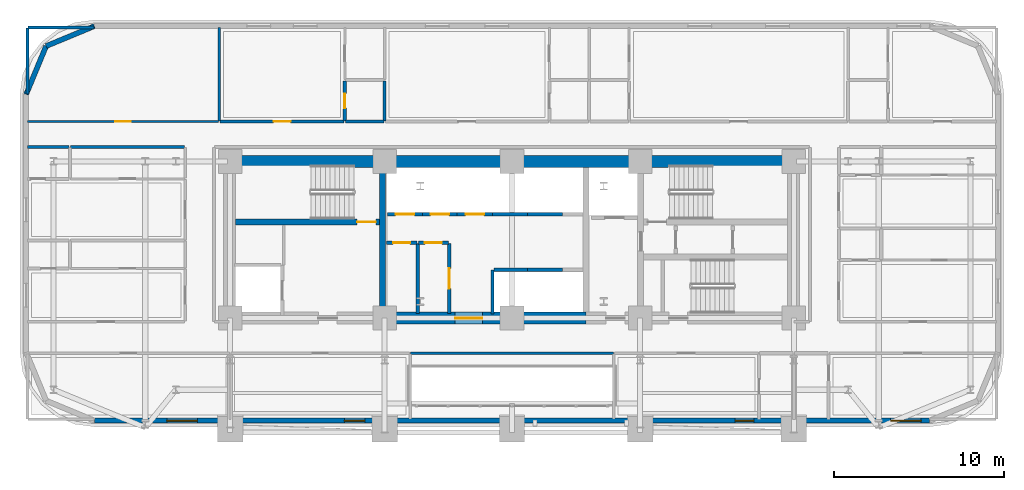
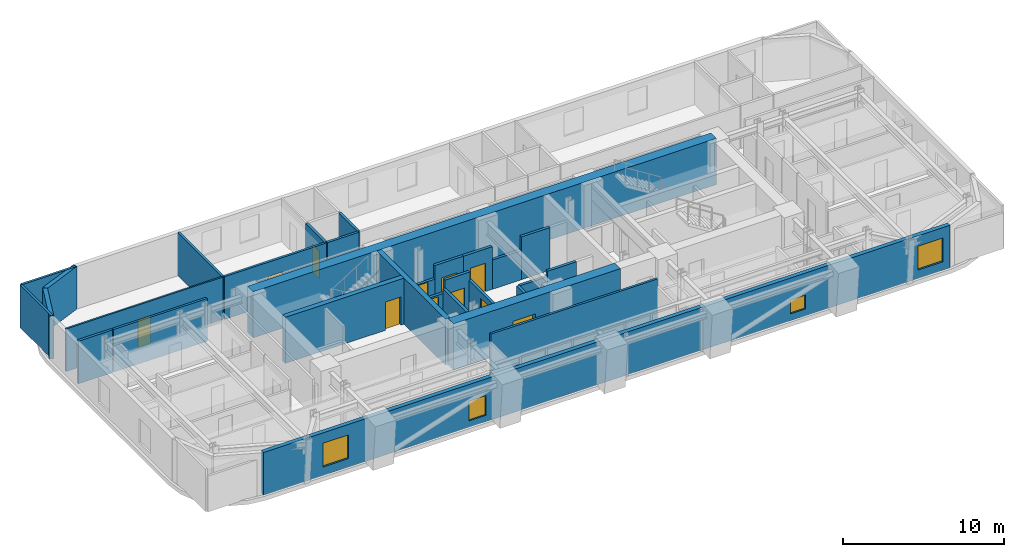
# One storey, part 9 of 16: 30 walls, 11 doors, 4 windows, 15 openings.
"""IFC4 building model written with IfcOpenShell, lengths in metres."""

from ifc_helpers import new_model, si_unit, direction, frame, frame_2d, origin, place, context, subcontext, project, spatial, rectangle, extrude, material, layer, layer_set, type_object, element, fill, save


model = new_model("IFC4")

# Units and contexts
model_context = context("Model", 3, precision=1e-05, world=origin(), true_north=direction((0.0, 1.0)))
body_context = subcontext(model_context, "Body", "Model", "MODEL_VIEW")
ifc_project = project(units=[si_unit("LENGTHUNIT", "METRE"), si_unit("AREAUNIT", "SQUARE_METRE"), si_unit("VOLUMEUNIT", "CUBIC_METRE"), si_unit("PLANEANGLEUNIT", "RADIAN"), si_unit("MASSUNIT", "GRAM", prefix="KILO")], contexts=[model_context])

# Site, building, storey
site_placement = place(None, origin())
site = spatial("IfcSite", under=ifc_project, at=site_placement, CompositionType="ELEMENT")
building_placement = place(site_placement, origin())
building = spatial("IfcBuilding", under=site, at=building_placement, Name="Zarnavel Station Tower", CompositionType="ELEMENT")
storey_placement = place(building_placement, frame((0.0, 0.0, 53.5)))
storey = spatial("IfcBuildingStorey", under=building, at=storey_placement, Name="L14", CompositionType="ELEMENT", Elevation=53.5)

# Wall
ifc_material_1 = material(Name="Concrete C50/60", Category="concrete")
ifc_layer_1 = layer(ifc_material_1, 0.35009765625)
ifc_layer_set_1 = layer_set([ifc_layer_1], Name="CW_350")
wall_type_1 = type_object("IfcWallType", Name="CW_350", PredefinedType="SHEAR", material=ifc_layer_set_1)
wall_1_placement = place(storey_placement, frame((21.179931640625, 28.169921875, 0.0), z_axis=(0.0, 0.0, 1.0), x_axis=(0.0, 1.0, 0.0)))
element("IfcWall", 1, at=wall_1_placement, inside=storey, type_object=wall_type_1, Name="L14 Rear Core Shear Wall DIV-W", PredefinedType="SHEAR", context=body_context, shape_type="SweptSolid", body=[
    extrude(rectangle(XDim=8.530029296875, YDim=0.35009765625, at=frame_2d((4.26513671875, 0.0))), origin(), (0.0, 0.0, 1.0), 3.5),
])

# Wall, opening, door
wall_2_placement = place(storey_placement, frame((21.0048828125, 33.47998046875, 0.0), z_axis=(0.0, 0.0, 1.0), x_axis=(-1.0, 0.0, 0.0)))
wall_2 = element("IfcWall", 2, at=wall_2_placement, inside=storey, type_object=wall_type_1, Name="L14 Rear Core Shear Wall DIV-H1", PredefinedType="SHEAR", context=body_context, shape_type="SweptSolid", body=[
    extrude(rectangle(XDim=8.5048828125, YDim=0.35009765625, at=frame_2d((4.25244140625, 0.0))), origin(), (0.0, 0.0, 1.0), 3.5),
])
opening_1_placement = place(wall_2_placement, frame((0.219970703125, 0.0, 0.0)))
opening_1 = element("IfcOpeningElement", 3, at=opening_1_placement, cuts=wall_2, Name="Opening FD01", PredefinedType="OPENING", context=body_context, shape_type="SweptSolid", body=[
    extrude(rectangle(XDim=1.10009765625, YDim=2.14990234375, at=frame_2d((0.550048828125, 1.074951171875))), frame((0.0, 0.18505859375, 0.0), z_axis=(0.0, -1.0, 0.0), x_axis=(1.0, 0.0, 0.0)), (0.0, 0.0, 1.0), 0.3701171875),
])
ifc_material_2 = material(Name="Painted Galvanised Steel and Hardwood Leaf", Category="steel")
door_type_1 = type_object("IfcDoorType", Name="ID_STAIR_1100", OperationType="NOTDEFINED", PredefinedType="DOOR", material=ifc_material_2)
door_1_placement = place(opening_1_placement, origin())
door_1 = element("IfcDoor", 4, at=door_1_placement, inside=storey, type_object=door_type_1, Name="L14 Stair ST1 Lobby Fire Door", OperationType="SINGLE_SWING_LEFT", OverallHeight=2.14990234375, OverallWidth=1.10009765625, PredefinedType="DOOR", context=body_context, shape_type="SweptSolid", body=[
    extrude(rectangle(XDim=1.10009765625, YDim=2.14990234375, at=frame_2d((0.550048828125, 1.074951171875))), frame((0.0, 0.02490234375, 0.0), z_axis=(0.0, -1.0, 0.0), x_axis=(1.0, 0.0, 0.0)), (0.0, 0.0, 1.0), 0.050048828125),
])
fill(opening_1, door_1)

# Wall
ifc_material_3 = material(Name="Concrete C60/75", Category="concrete")
ifc_layer_2 = layer(ifc_material_3, 0.699951171875)
ifc_layer_set_2 = layer_set([ifc_layer_2], Name="CW_700")
wall_type_2 = type_object("IfcWallType", Name="CW_700", PredefinedType="SHEAR", material=ifc_layer_set_2)
wall_3_placement = place(storey_placement, frame((12.14990234375, 37.050048828125, 0.0), z_axis=(0.0, 0.0, 1.0), x_axis=(1.0, 0.0, 0.0)))
element("IfcWall", 5, at=wall_3_placement, inside=storey, type_object=wall_type_2, Name="L14 Rear Core Shear Wall N", PredefinedType="SHEAR", context=body_context, shape_type="SweptSolid", body=[
    extrude(rectangle(XDim=33.22998046875, YDim=0.699951171875, at=frame_2d((16.614990234375, 0.0))), origin(), (0.0, 0.0, 1.0), 3.5),
])

# Wall, opening, door
wall_4_placement = place(storey_placement, frame((33.14990234375, 27.820068359375, 0.0), z_axis=(0.0, 0.0, 1.0), x_axis=(-1.0, 0.0, 0.0)))
wall_4 = element("IfcWall", 6, at=wall_4_placement, inside=storey, type_object=wall_type_2, Name="L14 Rear Core Shear Wall S-M", PredefinedType="SHEAR", context=body_context, shape_type="SweptSolid", body=[
    extrude(rectangle(XDim=11.969970703125, YDim=0.699951171875, at=frame_2d((5.98486328125, 0.0))), origin(), (0.0, 0.0, 1.0), 3.5),
])
opening_2_placement = place(wall_4_placement, frame((6.10009765625, 0.0, 0.0)))
opening_2 = element("IfcOpeningElement", 7, at=opening_2_placement, cuts=wall_4, Name="Opening ID03", PredefinedType="OPENING", context=body_context, shape_type="SweptSolid", body=[
    extrude(rectangle(XDim=1.60009765625, YDim=2.199951171875, at=frame_2d((0.800048828125, 1.10009765625))), frame((0.0, 0.35986328125, 0.0), z_axis=(0.0, -1.0, 0.0), x_axis=(1.0, 0.0, 0.0)), (0.0, 0.0, 1.0), 0.719970703125),
])
ifc_material_4 = material(Name="Painted Galvanised Steel and Hardwood Leaf", Category="steel")
door_type_2 = type_object("IfcDoorType", Name="ID_PUBLIC_1600", OperationType="DOUBLE_DOOR_SINGLE_SWING", PredefinedType="DOOR", material=ifc_material_4)
door_2_placement = place(opening_2_placement, origin())
door_2 = element("IfcDoor", 8, at=door_2_placement, inside=storey, type_object=door_type_2, Name="L14 Passenger Lift Lobby Double Door", OperationType="SINGLE_SWING_LEFT", OverallHeight=2.199951171875, OverallWidth=1.60009765625, PredefinedType="DOOR", context=body_context, shape_type="SweptSolid", body=[
    extrude(rectangle(XDim=1.60009765625, YDim=2.199951171875, at=frame_2d((0.800048828125, 1.10009765625))), frame((0.0, 0.02490234375, 0.0), z_axis=(0.0, -1.0, 0.0), x_axis=(1.0, 0.0, 0.0)), (0.0, 0.0, 1.0), 0.050048828125),
])
fill(opening_2, door_2)

# Walls
ifc_material_5 = material(Name="Precast concrete C45/55 (Dark Basalt Finish)", Category="masonry")
ifc_layer_3 = layer(ifc_material_5, 0.300048828125)
ifc_layer_set_3 = layer_set([ifc_layer_3], Name="EW_BASALT_300")
wall_type_3 = type_object("IfcWallType", Name="EW_BASALT_300", PredefinedType="SOLIDWALL", material=ifc_layer_set_3)
for number, where, z_axis, x_axis, name in (
    (9, (1.357421875, 43.842529296875, 0.0), (0.0, 0.0, 1.0), (0.923870793506, 0.382704529509, 0.0), "L14 Exterior Basalt Masonry Frame Wall 07"),
    (10, (0.179931640625, 41.0, 0.0), (0.0, 0.0, 1.0), (0.382704529509, 0.923870793506, 0.0), "L14 Exterior Basalt Masonry Frame Wall 08"),
):
    element("IfcWall", number, at=place(storey_placement, frame(where, z_axis=z_axis, x_axis=x_axis)), inside=storey, type_object=wall_type_3, Name=name, PredefinedType="SOLIDWALL", context=body_context, shape_type="SweptSolid", body=[
        extrude(rectangle(XDim=3.07666015625, YDim=0.300048828125, at=frame_2d((1.538330078125, 0.0))), origin(), (0.0, 0.0, 1.0), 3.239990234375),
    ])

# Wall, openings, windows
wall_5_placement = place(storey_placement, frame((53.39990234375, 21.780029296875, 0.0), z_axis=(0.0, 0.0, 1.0), x_axis=(-1.0, 0.0, 0.0)))
wall_5 = element("IfcWall", 11, at=wall_5_placement, inside=storey, type_object=wall_type_3, Name="L14 Exterior Basalt Masonry Frame Wall 12", PredefinedType="SOLIDWALL", context=body_context, shape_type="SweptSolid", body=[
    extrude(rectangle(XDim=49.199951171875, YDim=0.300048828125, at=frame_2d((24.60009765625, 0.0))), origin(), (0.0, 0.0, 1.0), 3.239990234375),
])
opening_3_placement = place(wall_5_placement, frame((43.1279296875, 0.0, 0.64990234375)))
opening_3 = element("IfcOpeningElement", 12, at=opening_3_placement, cuts=wall_5, Name="Opening WN02", PredefinedType="OPENING", context=body_context, shape_type="SweptSolid", body=[
    extrude(rectangle(XDim=1.800048828125, YDim=1.800048828125, at=frame_2d((0.89990234375, 0.89990234375))), frame((0.0, 0.159912109375, 0.0), z_axis=(0.0, -1.0, 0.0), x_axis=(1.0, 0.0, 0.0)), (0.0, 0.0, 1.0), 0.320068359375),
])
opening_4_placement = place(wall_5_placement, frame((33.2685546875, 0.0, 0.47998046875)))
opening_4 = element("IfcOpeningElement", 13, at=opening_4_placement, cuts=wall_5, Name="Opening WN08", PredefinedType="OPENING", context=body_context, shape_type="SweptSolid", body=[
    extrude(rectangle(XDim=1.199951171875, YDim=1.5, at=frame_2d((0.60009765625, 0.75))), frame((0.0, 0.159912109375, 0.0), z_axis=(0.0, -1.0, 0.0), x_axis=(1.0, 0.0, 0.0)), (0.0, 0.0, 1.0), 0.320068359375),
])
opening_5_placement = place(wall_5_placement, frame((10.35009765625, 0.0, 0.52001953125)))
opening_5 = element("IfcOpeningElement", 14, at=opening_5_placement, cuts=wall_5, Name="Opening WN09", PredefinedType="OPENING", context=body_context, shape_type="SweptSolid", body=[
    extrude(rectangle(XDim=1.10009765625, YDim=1.050048828125, at=frame_2d((0.550048828125, 0.52490234375))), frame((0.0, 0.159912109375, 0.0), z_axis=(0.0, -1.0, 0.0), x_axis=(1.0, 0.0, 0.0)), (0.0, 0.0, 1.0), 0.320068359375),
])
opening_6_placement = place(wall_5_placement, frame((0.503662109375, 0.0, 0.64990234375)))
opening_6 = element("IfcOpeningElement", 15, at=opening_6_placement, cuts=wall_5, Name="Opening WN02", PredefinedType="OPENING", context=body_context, shape_type="SweptSolid", body=[
    extrude(rectangle(XDim=1.800048828125, YDim=1.800048828125, at=frame_2d((0.89990234375, 0.89990234375))), frame((0.0, 0.159912109375, 0.0), z_axis=(0.0, -1.0, 0.0), x_axis=(1.0, 0.0, 0.0)), (0.0, 0.0, 1.0), 0.320068359375),
])
ifc_material_6 = material(Name="Thermally Broken Black Aluminium and Low-E Dark Glass", Category="aluminium")
window_type_1 = type_object("IfcWindowType", Name="WN_1100x1050", PartitioningType="SINGLE_PANEL", PredefinedType="WINDOW", material=ifc_material_6)
window_1_placement = place(opening_5_placement, origin())
window_1 = element("IfcWindow", 16, at=window_1_placement, inside=storey, type_object=window_type_1, Name="L14 Recessed Facade Window 03", OverallHeight=1.050048828125, OverallWidth=1.10009765625, PartitioningType="SINGLE_PANEL", PredefinedType="WINDOW", context=body_context, shape_type="SweptSolid", body=[
    extrude(rectangle(XDim=1.10009765625, YDim=1.050048828125, at=frame_2d((0.550048828125, 0.52490234375))), frame((0.0, 0.030029296875, 0.0), z_axis=(0.0, -1.0, 0.0), x_axis=(1.0, 0.0, 0.0)), (0.0, 0.0, 1.0), 0.06005859375),
])
fill(opening_5, window_1)
ifc_material_7 = material(Name="Thermally Broken Black Aluminium and Low-E Dark Glass", Category="aluminium")
window_type_2 = type_object("IfcWindowType", Name="WN_1200x1500", PartitioningType="SINGLE_PANEL", PredefinedType="WINDOW", material=ifc_material_7)
window_2_placement = place(opening_4_placement, origin())
window_2 = element("IfcWindow", 17, at=window_2_placement, inside=storey, type_object=window_type_2, Name="L14 Recessed Facade Window 02", OverallHeight=1.5, OverallWidth=1.199951171875, PartitioningType="SINGLE_PANEL", PredefinedType="WINDOW", context=body_context, shape_type="SweptSolid", body=[
    extrude(rectangle(XDim=1.199951171875, YDim=1.5, at=frame_2d((0.60009765625, 0.75))), frame((0.0, 0.030029296875, 0.0), z_axis=(0.0, -1.0, 0.0), x_axis=(1.0, 0.0, 0.0)), (0.0, 0.0, 1.0), 0.06005859375),
])
fill(opening_4, window_2)
ifc_material_8 = material(Name="Thermally Broken Black Aluminium and Low-E Dark Glass", Category="aluminium")
window_type_3 = type_object("IfcWindowType", Name="WN_1800x1800", PartitioningType="DOUBLE_PANEL_VERTICAL", PredefinedType="WINDOW", material=ifc_material_8)
window_3_placement = place(opening_3_placement, origin())
window_3 = element("IfcWindow", 18, at=window_3_placement, inside=storey, type_object=window_type_3, Name="L14 Recessed Facade Window 01", OverallHeight=1.800048828125, OverallWidth=1.800048828125, PartitioningType="SINGLE_PANEL", PredefinedType="WINDOW", context=body_context, shape_type="SweptSolid", body=[
    extrude(rectangle(XDim=1.800048828125, YDim=1.800048828125, at=frame_2d((0.89990234375, 0.89990234375))), frame((0.0, 0.030029296875, 0.0), z_axis=(0.0, -1.0, 0.0), x_axis=(1.0, 0.0, 0.0)), (0.0, 0.0, 1.0), 0.06005859375),
])
fill(opening_3, window_3)
window_4_placement = place(opening_6_placement, origin())
window_4 = element("IfcWindow", 19, at=window_4_placement, inside=storey, type_object=window_type_3, Name="L14 Recessed Facade Window 04", OverallHeight=1.800048828125, OverallWidth=1.800048828125, PartitioningType="SINGLE_PANEL", PredefinedType="WINDOW", context=body_context, shape_type="SweptSolid", body=[
    extrude(rectangle(XDim=1.800048828125, YDim=1.800048828125, at=frame_2d((0.89990234375, 0.89990234375))), frame((0.0, 0.030029296875, 0.0), z_axis=(0.0, -1.0, 0.0), x_axis=(1.0, 0.0, 0.0)), (0.0, 0.0, 1.0), 0.06005859375),
])
fill(opening_6, window_4)

# Wall
ifc_material_9 = material(Name="Gypsum Twin-Stud Acoustic Fire Partition", Category="concrete")
ifc_layer_4 = layer(ifc_material_9, 0.159912109375)
ifc_layer_set_4 = layer_set([ifc_layer_4], Name="PT_DEMISE_160")
wall_type_4 = type_object("IfcWallType", Name="PT_DEMISE_160", PredefinedType="PARTITIONING", material=ifc_layer_set_4)
wall_6_placement = place(storey_placement, frame((2.800048828125, 37.89990234375, 0.0), z_axis=(0.0, 0.0, 1.0), x_axis=(1.0, 0.0, 0.0)))
element("IfcWall", 20, at=wall_6_placement, inside=storey, type_object=wall_type_4, Name="L14 Partition COR-N-FNW2S", PredefinedType="PARTITIONING", context=body_context, shape_type="SweptSolid", body=[
    extrude(rectangle(XDim=6.7099609375, YDim=0.159912109375, at=frame_2d((3.35498046875, 0.0))), origin(), (0.0, 0.0, 1.0), 3.239990234375),
])

# Wall, opening, door
wall_7_placement = place(storey_placement, frame((11.60009765625, 39.39990234375, 0.0), z_axis=(0.0, 0.0, 1.0), x_axis=(1.0, 0.0, 0.0)))
wall_7 = element("IfcWall", 21, at=wall_7_placement, inside=storey, type_object=wall_type_4, Name="L14 Partition COR-N-HN1R", PredefinedType="PARTITIONING", context=body_context, shape_type="SweptSolid", body=[
    extrude(rectangle(XDim=7.309814453125, YDim=0.159912109375, at=frame_2d((3.65478515625, 0.0))), origin(), (0.0, 0.0, 1.0), 3.239990234375),
])
opening_7_placement = place(wall_7_placement, frame((3.155029296875, 0.0, 0.0)))
opening_7 = element("IfcOpeningElement", 22, at=opening_7_placement, cuts=wall_7, Name="Opening FD02", PredefinedType="OPENING", context=body_context, shape_type="SweptSolid", body=[
    extrude(rectangle(XDim=1.0, YDim=2.14990234375, at=frame_2d((0.5, 1.074951171875))), frame((0.0, 0.08984375, 0.0), z_axis=(0.0, -1.0, 0.0), x_axis=(1.0, 0.0, 0.0)), (0.0, 0.0, 1.0), 0.179931640625),
])
ifc_material_10 = material(Name="Painted Galvanised Steel and Hardwood Leaf", Category="steel")
door_type_3 = type_object("IfcDoorType", Name="ID_ENTRY_1000", OperationType="NOTDEFINED", PredefinedType="DOOR", material=ifc_material_10)
door_3_placement = place(opening_7_placement, origin())
door_3 = element("IfcDoor", 23, at=door_3_placement, inside=storey, type_object=door_type_3, Name="L14 Door COR-N-HN1R", OperationType="SINGLE_SWING_LEFT", OverallHeight=2.14990234375, OverallWidth=1.0, PredefinedType="DOOR", context=body_context, shape_type="SweptSolid", body=[
    extrude(rectangle(XDim=1.0, YDim=2.14990234375, at=frame_2d((0.5, 1.074951171875))), frame((0.0, 0.02490234375, 0.0), z_axis=(0.0, -1.0, 0.0), x_axis=(1.0, 0.0, 0.0)), (0.0, 0.0, 1.0), 0.050048828125),
])
fill(opening_7, door_3)

# Walls
wall_8_placement = place(storey_placement, frame((11.56005859375, 39.43994140625, 0.0), z_axis=(0.0, 0.0, 1.0), x_axis=(0.0, 1.0, 0.0)))
element("IfcWall", 24, at=wall_8_placement, inside=storey, type_object=wall_type_4, Name="L14 Partition HSKP-HN1R", PredefinedType="PARTITIONING", context=body_context, shape_type="SweptSolid", body=[
    extrude(rectangle(XDim=5.5, YDim=0.159912109375, at=frame_2d((2.75, 0.0))), origin(), (0.0, 0.0, 1.0), 3.239990234375),
])
wall_9_placement = place(storey_placement, frame((22.830078125, 25.75, 0.0), z_axis=(0.0, 0.0, 1.0), x_axis=(1.0, 0.0, 0.0)))
element("IfcWall", 25, at=wall_9_placement, inside=storey, type_object=wall_type_4, Name="L14 Enclosure Wall COR-S", PredefinedType="PARTITIONING", context=body_context, shape_type="SweptSolid", body=[
    extrude(rectangle(XDim=11.93994140625, YDim=0.159912109375, at=frame_2d((5.969970703125, 0.0))), origin(), (0.0, 0.0, 1.0), 3.239990234375),
])
for number, where, z_axis, x_axis, name in (
    (26, (0.2900390625, 44.93994140625, 0.0), (0.0, 0.0, 1.0), (1.0, 0.0, 0.0), "L14 Enclosure Wall HSKP"),
    (27, (0.260009765625, 41.030029296875, 0.0), (0.0, 0.0, 1.0), (0.0, 1.0, 0.0), "L14 Enclosure Wall HSKP"),
):
    element("IfcWall", number, at=place(storey_placement, frame(where, z_axis=z_axis, x_axis=x_axis)), inside=storey, type_object=wall_type_4, Name=name, PredefinedType="PARTITIONING", context=body_context, shape_type="SweptSolid", body=[
        extrude(rectangle(XDim=3.8798828125, YDim=0.159912109375, at=frame_2d((1.93994140625, 0.0))), origin(), (0.0, 0.0, 1.0), 3.239990234375),
    ])

# Wall, opening, door
ifc_material_11 = material(Name="Gypsum Metal-Stud Interior Partition", Category="concrete")
ifc_layer_5 = layer(ifc_material_11, 0.1201171875)
ifc_layer_set_5 = layer_set([ifc_layer_5], Name="PT_ROOM_120")
wall_type_5 = type_object("IfcWallType", Name="PT_ROOM_120", PredefinedType="PARTITIONING", material=ifc_layer_set_5)
wall_10_placement = place(storey_placement, frame((0.260009765625, 39.39990234375, 0.0), z_axis=(0.0, 0.0, 1.0), x_axis=(1.0, 0.0, 0.0)))
wall_10 = element("IfcWall", 28, at=wall_10_placement, inside=storey, type_object=wall_type_5, Name="L14 Partition COR-N-HSKP", PredefinedType="PARTITIONING", context=body_context, shape_type="SweptSolid", body=[
    extrude(rectangle(XDim=11.260009765625, YDim=0.1201171875, at=frame_2d((5.6298828125, 0.0))), origin(), (0.0, 0.0, 1.0), 3.239990234375),
])
opening_8_placement = place(wall_10_placement, frame((5.179931640625, 0.0, 0.0)))
opening_8 = element("IfcOpeningElement", 29, at=opening_8_placement, cuts=wall_10, Name="Opening ID01", PredefinedType="OPENING", context=body_context, shape_type="SweptSolid", body=[
    extrude(rectangle(XDim=0.89990234375, YDim=2.10009765625, at=frame_2d((0.449951171875, 1.050048828125))), frame((0.0, 0.070068359375, 0.0), z_axis=(0.0, -1.0, 0.0), x_axis=(1.0, 0.0, 0.0)), (0.0, 0.0, 1.0), 0.14013671875),
])
ifc_material_12 = material(Name="Painted Galvanised Steel and Hardwood Leaf", Category="steel")
door_type_4 = type_object("IfcDoorType", Name="ID_ROOM_900", OperationType="NOTDEFINED", PredefinedType="DOOR", material=ifc_material_12)
door_4_placement = place(opening_8_placement, origin())
door_4 = element("IfcDoor", 30, at=door_4_placement, inside=storey, type_object=door_type_4, Name="L14 Door COR-N-HSKP", OperationType="SINGLE_SWING_RIGHT", OverallHeight=2.10009765625, OverallWidth=0.89990234375, PredefinedType="DOOR", context=body_context, shape_type="SweptSolid", body=[
    extrude(rectangle(XDim=0.89990234375, YDim=2.10009765625, at=frame_2d((0.449951171875, 1.050048828125))), frame((0.0, 0.02490234375, 0.0), z_axis=(0.0, -1.0, 0.0), x_axis=(1.0, 0.0, 0.0)), (0.0, 0.0, 1.0), 0.050048828125),
])
fill(opening_8, door_4)

# Walls
ifc_material_13 = material(Name="Precast concrete C45/55 (Fire Shaft Blockwork)", Category="masonry")
ifc_layer_6 = layer(ifc_material_13, 0.199951171875)
ifc_layer_set_6 = layer_set([ifc_layer_6], Name="PT_SHAFT_200")
wall_type_6 = type_object("IfcWallType", Name="PT_SHAFT_200", PredefinedType="PARTITIONING", material=ifc_layer_set_6)
wall_11_placement = place(storey_placement, frame((27.75, 30.669921875, 0.0), z_axis=(0.0, 0.0, 1.0), x_axis=(1.0, 0.0, 0.0)))
element("IfcWall", 31, at=wall_11_placement, inside=storey, type_object=wall_type_6, Name="L14 Lift PL-H1 Shaft Front Wall", PredefinedType="PARTITIONING", context=body_context, shape_type="SweptSolid", body=[
    extrude(rectangle(XDim=1.97509765625, YDim=0.199951171875, at=frame_2d((0.987548828125, 0.0))), origin(), (0.0, 0.0, 1.0), 2.2119140625),
])
wall_12_placement = place(storey_placement, frame((27.64990234375, 28.070068359375, 0.0), z_axis=(0.0, 0.0, 1.0), x_axis=(0.0, 1.0, 0.0)))
element("IfcWall", 32, at=wall_12_placement, inside=storey, type_object=wall_type_6, Name="L14 High-Rise Lift Bank West Shaft Wall", PredefinedType="PARTITIONING", context=body_context, shape_type="SweptSolid", body=[
    extrude(rectangle(XDim=2.579833984375, YDim=0.199951171875, at=frame_2d((1.2900390625, 0.0))), origin(), (0.0, 0.0, 1.0), 2.2119140625),
])
wall_13_placement = place(storey_placement, frame((29.72509765625, 30.669921875, 0.0), z_axis=(0.0, 0.0, 1.0), x_axis=(1.0, 0.0, 0.0)))
element("IfcWall", 33, at=wall_13_placement, inside=storey, type_object=wall_type_6, Name="L14 Lift PL-H2 Shaft Front Wall", PredefinedType="PARTITIONING", context=body_context, shape_type="SweptSolid", body=[
    extrude(rectangle(XDim=2.0498046875, YDim=0.199951171875, at=frame_2d((1.02490234375, 0.0))), origin(), (0.0, 0.0, 1.0), 2.6201171875),
])

# Wall, opening, door
wall_14_placement = place(storey_placement, frame((21.4599609375, 33.929931640625, 0.0), z_axis=(0.0, 0.0, 1.0), x_axis=(1.0, 0.0, 0.0)))
wall_14 = element("IfcWall", 34, at=wall_14_placement, inside=storey, type_object=wall_type_6, Name="L14 Lift PL-L1 Shaft Front Wall", PredefinedType="PARTITIONING", context=body_context, shape_type="SweptSolid", body=[
    extrude(rectangle(XDim=2.06494140625, YDim=0.199951171875, at=frame_2d((1.032470703125, 0.0))), origin(), (0.0, 0.0, 1.0), 2.2119140625),
])
opening_9_placement = place(wall_14_placement, frame((0.482421875, 0.0, 0.0)))
opening_9 = element("IfcOpeningElement", 35, at=opening_9_placement, cuts=wall_14, Name="Opening LD02", PredefinedType="OPENING", context=body_context, shape_type="SweptSolid", body=[
    extrude(rectangle(XDim=1.10009765625, YDim=2.14990234375, at=frame_2d((0.550048828125, 1.074951171875))), frame((0.0, 0.10986328125, 0.0), z_axis=(0.0, -1.0, 0.0), x_axis=(1.0, 0.0, 0.0)), (0.0, 0.0, 1.0), 0.219970703125),
])
ifc_material_14 = material(Name="Painted Galvanised Steel and Hardwood Leaf", Category="steel")
door_type_5 = type_object("IfcDoorType", Name="LD_PAX_1100", OperationType="DOUBLE_DOOR_SLIDING", PredefinedType="DOOR", material=ifc_material_14)
door_5_placement = place(opening_9_placement, origin())
door_5 = element("IfcDoor", 36, at=door_5_placement, inside=storey, type_object=door_type_5, Name="L14 Lift PL-L1 Sliding Landing Door", OperationType="DOUBLE_DOOR_SLIDING", OverallHeight=2.14990234375, OverallWidth=1.10009765625, PredefinedType="DOOR", context=body_context, shape_type="SweptSolid", body=[
    extrude(rectangle(XDim=1.10009765625, YDim=2.14990234375, at=frame_2d((0.550048828125, 1.074951171875))), frame((0.0, 0.02490234375, 0.0), z_axis=(0.0, -1.0, 0.0), x_axis=(1.0, 0.0, 0.0)), (0.0, 0.0, 1.0), 0.050048828125),
])
fill(opening_9, door_5)

wall_15_placement = place(storey_placement, frame((23.52490234375, 33.929931640625, 0.0), z_axis=(0.0, 0.0, 1.0), x_axis=(1.0, 0.0, 0.0)))
wall_15 = element("IfcWall", 37, at=wall_15_placement, inside=storey, type_object=wall_type_6, Name="L14 Lift PL-L2 Shaft Front Wall", PredefinedType="PARTITIONING", context=body_context, shape_type="SweptSolid", body=[
    extrude(rectangle(XDim=2.050048828125, YDim=0.199951171875, at=frame_2d((1.02490234375, 0.0))), origin(), (0.0, 0.0, 1.0), 3.239990234375),
])
opening_10_placement = place(wall_15_placement, frame((0.47509765625, 0.0, 0.0)))
opening_10 = element("IfcOpeningElement", 38, at=opening_10_placement, cuts=wall_15, Name="Opening LD02", PredefinedType="OPENING", context=body_context, shape_type="SweptSolid", body=[
    extrude(rectangle(XDim=1.10009765625, YDim=2.14990234375, at=frame_2d((0.550048828125, 1.074951171875))), frame((0.0, 0.10986328125, 0.0), z_axis=(0.0, -1.0, 0.0), x_axis=(1.0, 0.0, 0.0)), (0.0, 0.0, 1.0), 0.219970703125),
])
door_6_placement = place(opening_10_placement, origin())
door_6 = element("IfcDoor", 39, at=door_6_placement, inside=storey, type_object=door_type_5, Name="L14 Lift PL-L2 Sliding Landing Door", OperationType="DOUBLE_DOOR_SLIDING", OverallHeight=2.14990234375, OverallWidth=1.10009765625, PredefinedType="DOOR", context=body_context, shape_type="SweptSolid", body=[
    extrude(rectangle(XDim=1.10009765625, YDim=2.14990234375, at=frame_2d((0.550048828125, 1.074951171875))), frame((0.0, 0.02490234375, 0.0), z_axis=(0.0, -1.0, 0.0), x_axis=(1.0, 0.0, 0.0)), (0.0, 0.0, 1.0), 0.050048828125),
])
fill(opening_10, door_6)

wall_16_placement = place(storey_placement, frame((25.574951171875, 33.929931640625, 0.0), z_axis=(0.0, 0.0, 1.0), x_axis=(1.0, 0.0, 0.0)))
wall_16 = element("IfcWall", 40, at=wall_16_placement, inside=storey, type_object=wall_type_6, Name="L14 Lift PL-L3 Shaft Front Wall", PredefinedType="PARTITIONING", context=body_context, shape_type="SweptSolid", body=[
    extrude(rectangle(XDim=2.074951171875, YDim=0.199951171875, at=frame_2d((1.03759765625, 0.0))), origin(), (0.0, 0.0, 1.0), 3.239990234375),
])
opening_11_placement = place(wall_16_placement, frame((0.487548828125, 0.0, 0.0)))
opening_11 = element("IfcOpeningElement", 41, at=opening_11_placement, cuts=wall_16, Name="Opening LD02", PredefinedType="OPENING", context=body_context, shape_type="SweptSolid", body=[
    extrude(rectangle(XDim=1.10009765625, YDim=2.14990234375, at=frame_2d((0.550048828125, 1.074951171875))), frame((0.0, 0.10986328125, 0.0), z_axis=(0.0, -1.0, 0.0), x_axis=(1.0, 0.0, 0.0)), (0.0, 0.0, 1.0), 0.219970703125),
])
door_7_placement = place(opening_11_placement, origin())
door_7 = element("IfcDoor", 42, at=door_7_placement, inside=storey, type_object=door_type_5, Name="L14 Lift PL-L3 Sliding Landing Door", OperationType="DOUBLE_DOOR_SLIDING", OverallHeight=2.14990234375, OverallWidth=1.10009765625, PredefinedType="DOOR", context=body_context, shape_type="SweptSolid", body=[
    extrude(rectangle(XDim=1.10009765625, YDim=2.14990234375, at=frame_2d((0.550048828125, 1.074951171875))), frame((0.0, 0.02490234375, 0.0), z_axis=(0.0, -1.0, 0.0), x_axis=(1.0, 0.0, 0.0)), (0.0, 0.0, 1.0), 0.050048828125),
])
fill(opening_11, door_7)

# Walls
wall_17_placement = place(storey_placement, frame((27.64990234375, 33.929931640625, 0.0), z_axis=(0.0, 0.0, 1.0), x_axis=(1.0, 0.0, 0.0)))
element("IfcWall", 43, at=wall_17_placement, inside=storey, type_object=wall_type_6, Name="L14 Lift PL-M1 Shaft Front Wall", PredefinedType="PARTITIONING", context=body_context, shape_type="SweptSolid", body=[
    extrude(rectangle(XDim=2.0751953125, YDim=0.199951171875, at=frame_2d((1.03759765625, 0.0))), origin(), (0.0, 0.0, 1.0), 2.2119140625),
])
wall_18_placement = place(storey_placement, frame((29.72509765625, 33.929931640625, 0.0), z_axis=(0.0, 0.0, 1.0), x_axis=(1.0, 0.0, 0.0)))
element("IfcWall", 44, at=wall_18_placement, inside=storey, type_object=wall_type_6, Name="L14 Lift PL-M2 Shaft Front Wall", PredefinedType="PARTITIONING", context=body_context, shape_type="SweptSolid", body=[
    extrude(rectangle(XDim=2.0498046875, YDim=0.199951171875, at=frame_2d((1.02490234375, 0.0))), origin(), (0.0, 0.0, 1.0), 3.239990234375),
])

# Wall, opening, door
wall_19_placement = place(storey_placement, frame((21.39990234375, 32.25, 0.0), z_axis=(0.0, 0.0, 1.0), x_axis=(1.0, 0.0, 0.0)))
wall_19 = element("IfcWall", 45, at=wall_19_placement, inside=storey, type_object=wall_type_6, Name="L14 Partition LLOB-CS1", PredefinedType="PARTITIONING", context=body_context, shape_type="SweptSolid", body=[
    extrude(rectangle(XDim=1.81005859375, YDim=0.199951171875, at=frame_2d((0.905029296875, 0.0))), origin(), (0.0, 0.0, 1.0), 2.280029296875),
])
opening_12_placement = place(wall_19_placement, frame((0.405029296875, 0.0, 0.0)))
opening_12 = element("IfcOpeningElement", 46, at=opening_12_placement, cuts=wall_19, Name="Opening FD02", PredefinedType="OPENING", context=body_context, shape_type="SweptSolid", body=[
    extrude(rectangle(XDim=1.0, YDim=2.14990234375, at=frame_2d((0.5, 1.074951171875))), frame((0.0, 0.10986328125, 0.0), z_axis=(0.0, -1.0, 0.0), x_axis=(1.0, 0.0, 0.0)), (0.0, 0.0, 1.0), 0.219970703125),
])
door_8_placement = place(opening_12_placement, origin())
door_8 = element("IfcDoor", 47, at=door_8_placement, inside=storey, type_object=door_type_3, Name="L14 Door LLOB-CS1", OperationType="SINGLE_SWING_LEFT", OverallHeight=2.14990234375, OverallWidth=1.0, PredefinedType="DOOR", context=body_context, shape_type="SweptSolid", body=[
    extrude(rectangle(XDim=1.0, YDim=2.14990234375, at=frame_2d((0.5, 1.074951171875))), frame((0.0, 0.02490234375, 0.0), z_axis=(0.0, -1.0, 0.0), x_axis=(1.0, 0.0, 0.0)), (0.0, 0.0, 1.0), 0.050048828125),
])
fill(opening_12, door_8)

wall_20_placement = place(storey_placement, frame((23.2900390625, 32.25, 0.0), z_axis=(0.0, 0.0, 1.0), x_axis=(1.0, 0.0, 0.0)))
wall_20 = element("IfcWall", 48, at=wall_20_placement, inside=storey, type_object=wall_type_6, Name="L14 Partition LLOB-CS2", PredefinedType="PARTITIONING", context=body_context, shape_type="SweptSolid", body=[
    extrude(rectangle(XDim=1.77001953125, YDim=0.199951171875, at=frame_2d((0.885009765625, 0.0))), origin(), (0.0, 0.0, 1.0), 3.239990234375),
])
opening_13_placement = place(wall_20_placement, frame((0.385009765625, 0.0, 0.0)))
opening_13 = element("IfcOpeningElement", 49, at=opening_13_placement, cuts=wall_20, Name="Opening FD02", PredefinedType="OPENING", context=body_context, shape_type="SweptSolid", body=[
    extrude(rectangle(XDim=1.0, YDim=2.14990234375, at=frame_2d((0.5, 1.074951171875))), frame((0.0, 0.10986328125, 0.0), z_axis=(0.0, -1.0, 0.0), x_axis=(1.0, 0.0, 0.0)), (0.0, 0.0, 1.0), 0.219970703125),
])
door_9_placement = place(opening_13_placement, origin())
door_9 = element("IfcDoor", 50, at=door_9_placement, inside=storey, type_object=door_type_3, Name="L14 Door LLOB-CS2", OperationType="SINGLE_SWING_RIGHT", OverallHeight=2.14990234375, OverallWidth=1.0, PredefinedType="DOOR", context=body_context, shape_type="SweptSolid", body=[
    extrude(rectangle(XDim=1.0, YDim=2.14990234375, at=frame_2d((0.5, 1.074951171875))), frame((0.0, 0.02490234375, 0.0), z_axis=(0.0, -1.0, 0.0), x_axis=(1.0, 0.0, 0.0)), (0.0, 0.0, 1.0), 0.050048828125),
])
fill(opening_13, door_9)

wall_21_placement = place(storey_placement, frame((25.10009765625, 28.090087890625, 0.0), z_axis=(0.0, 0.0, 1.0), x_axis=(0.0, 1.0, 0.0)))
wall_21 = element("IfcWall", 51, at=wall_21_placement, inside=storey, type_object=wall_type_6, Name="L14 Partition LLOBS-CS2", PredefinedType="PARTITIONING", context=body_context, shape_type="SweptSolid", body=[
    extrude(rectangle(XDim=4.119873046875, YDim=0.199951171875, at=frame_2d((2.06005859375, 0.0))), origin(), (0.0, 0.0, 1.0), 2.6201171875),
])
opening_14_placement = place(wall_21_placement, frame((1.4599609375, 0.0, 0.0)))
opening_14 = element("IfcOpeningElement", 52, at=opening_14_placement, cuts=wall_21, Name="Opening FD03", PredefinedType="OPENING", context=body_context, shape_type="SweptSolid", body=[
    extrude(rectangle(XDim=1.199951171875, YDim=2.14990234375, at=frame_2d((0.60009765625, 1.074951171875))), frame((0.0, 0.10986328125, 0.0), z_axis=(0.0, -1.0, 0.0), x_axis=(1.0, 0.0, 0.0)), (0.0, 0.0, 1.0), 0.219970703125),
])
ifc_material_15 = material(Name="Painted Galvanised Steel and Hardwood Leaf", Category="steel")
door_type_6 = type_object("IfcDoorType", Name="ID_PLANT_1200", OperationType="NOTDEFINED", PredefinedType="DOOR", material=ifc_material_15)
door_10_placement = place(opening_14_placement, origin())
door_10 = element("IfcDoor", 53, at=door_10_placement, inside=storey, type_object=door_type_6, Name="L14 Door LLOBS-CS2", OperationType="SINGLE_SWING_LEFT", OverallHeight=2.14990234375, OverallWidth=1.199951171875, PredefinedType="DOOR", context=body_context, shape_type="SweptSolid", body=[
    extrude(rectangle(XDim=1.199951171875, YDim=2.14990234375, at=frame_2d((0.60009765625, 1.074951171875))), frame((0.0, 0.02490234375, 0.0), z_axis=(0.0, -1.0, 0.0), x_axis=(1.0, 0.0, 0.0)), (0.0, 0.0, 1.0), 0.050048828125),
])
fill(opening_14, door_10)

# Walls
wall_22_placement = place(storey_placement, frame((23.25, 28.090087890625, 0.0), z_axis=(0.0, 0.0, 1.0), x_axis=(0.0, 1.0, 0.0)))
element("IfcWall", 54, at=wall_22_placement, inside=storey, type_object=wall_type_6, Name="L14 Partition CS1-CS2", PredefinedType="PARTITIONING", context=body_context, shape_type="SweptSolid", body=[
    extrude(rectangle(XDim=4.119873046875, YDim=0.199951171875, at=frame_2d((2.06005859375, 0.0))), origin(), (0.0, 0.0, 1.0), 2.6201171875),
])
ifc_material_16 = material(Name="Moisture-Resistant Plumbing Chase Wall", Category="concrete")
ifc_layer_7 = layer(ifc_material_16, 0.179931640625)
ifc_layer_set_7 = layer_set([ifc_layer_7], Name="PW_PLUMB_180")
wall_type_7 = type_object("IfcWallType", Name="PW_PLUMB_180", PredefinedType="PLUMBINGWALL", material=ifc_layer_set_7)
wall_23_placement = place(storey_placement, frame((0.260009765625, 37.89990234375, 0.0), z_axis=(0.0, 0.0, 1.0), x_axis=(1.0, 0.0, 0.0)))
element("IfcWall", 55, at=wall_23_placement, inside=storey, type_object=wall_type_7, Name="L14 Partition COR-N-FNW2B", PredefinedType="PLUMBINGWALL", context=body_context, shape_type="SweptSolid", body=[
    extrude(rectangle(XDim=2.4599609375, YDim=0.179931640625, at=frame_2d((1.22998046875, 0.0))), origin(), (0.0, 0.0, 1.0), 3.239990234375),
])
wall_24_placement = place(storey_placement, frame((18.989990234375, 39.39990234375, 0.0), z_axis=(0.0, 0.0, 1.0), x_axis=(1.0, 0.0, 0.0)))
element("IfcWall", 56, at=wall_24_placement, inside=storey, type_object=wall_type_7, Name="L14 Partition COR-N-HN1B", PredefinedType="PLUMBINGWALL", context=body_context, shape_type="SweptSolid", body=[
    extrude(rectangle(XDim=2.27001953125, YDim=0.179931640625, at=frame_2d((1.135009765625, 0.0))), origin(), (0.0, 0.0, 1.0), 3.239990234375),
])

# Wall, opening, door
wall_25_placement = place(storey_placement, frame((18.949951171875, 39.43994140625, 0.0), z_axis=(0.0, 0.0, 1.0), x_axis=(0.0, 1.0, 0.0)))
wall_25 = element("IfcWall", 57, at=wall_25_placement, inside=storey, type_object=wall_type_7, Name="L14 Partition HN1R-HN1B", PredefinedType="PLUMBINGWALL", context=body_context, shape_type="SweptSolid", body=[
    extrude(rectangle(XDim=2.358154296875, YDim=0.179931640625, at=frame_2d((1.17919921875, 0.0))), origin(), (0.0, 0.0, 1.0), 3.239990234375),
])
opening_15_placement = place(wall_25_placement, frame((0.75390625, 0.0, 0.0)))
opening_15 = element("IfcOpeningElement", 58, at=opening_15_placement, cuts=wall_25, Name="Opening ID02", PredefinedType="OPENING", context=body_context, shape_type="SweptSolid", body=[
    extrude(rectangle(XDim=0.85009765625, YDim=2.10009765625, at=frame_2d((0.425048828125, 1.050048828125))), frame((0.0, 0.099853515625, 0.0), z_axis=(0.0, -1.0, 0.0), x_axis=(1.0, 0.0, 0.0)), (0.0, 0.0, 1.0), 0.199951171875),
])
ifc_material_17 = material(Name="Painted Galvanised Steel and Hardwood Leaf", Category="steel")
door_type_7 = type_object("IfcDoorType", Name="ID_BATH_850", OperationType="NOTDEFINED", PredefinedType="DOOR", material=ifc_material_17)
door_11_placement = place(opening_15_placement, origin())
door_11 = element("IfcDoor", 59, at=door_11_placement, inside=storey, type_object=door_type_7, Name="L14 Door HN1R-HN1B", OperationType="SINGLE_SWING_LEFT", OverallHeight=2.10009765625, OverallWidth=0.85009765625, PredefinedType="DOOR", context=body_context, shape_type="SweptSolid", body=[
    extrude(rectangle(XDim=0.85009765625, YDim=2.10009765625, at=frame_2d((0.425048828125, 1.050048828125))), frame((0.0, 0.02490234375, 0.0), z_axis=(0.0, -1.0, 0.0), x_axis=(1.0, 0.0, 0.0)), (0.0, 0.0, 1.0), 0.050048828125),
])
fill(opening_15, door_11)

# Wall
wall_26_placement = place(storey_placement, frame((21.300048828125, 39.43994140625, 0.0), z_axis=(0.0, 0.0, 1.0), x_axis=(0.0, 1.0, 0.0)))
element("IfcWall", 60, at=wall_26_placement, inside=storey, type_object=wall_type_7, Name="L14 Partition HN1B-HN2R", PredefinedType="PLUMBINGWALL", context=body_context, shape_type="SweptSolid", body=[
    extrude(rectangle(XDim=2.358154296875, YDim=0.179931640625, at=frame_2d((1.17919921875, 0.0))), origin(), (0.0, 0.0, 1.0), 3.239990234375),
])

save(model, "model.ifc")
